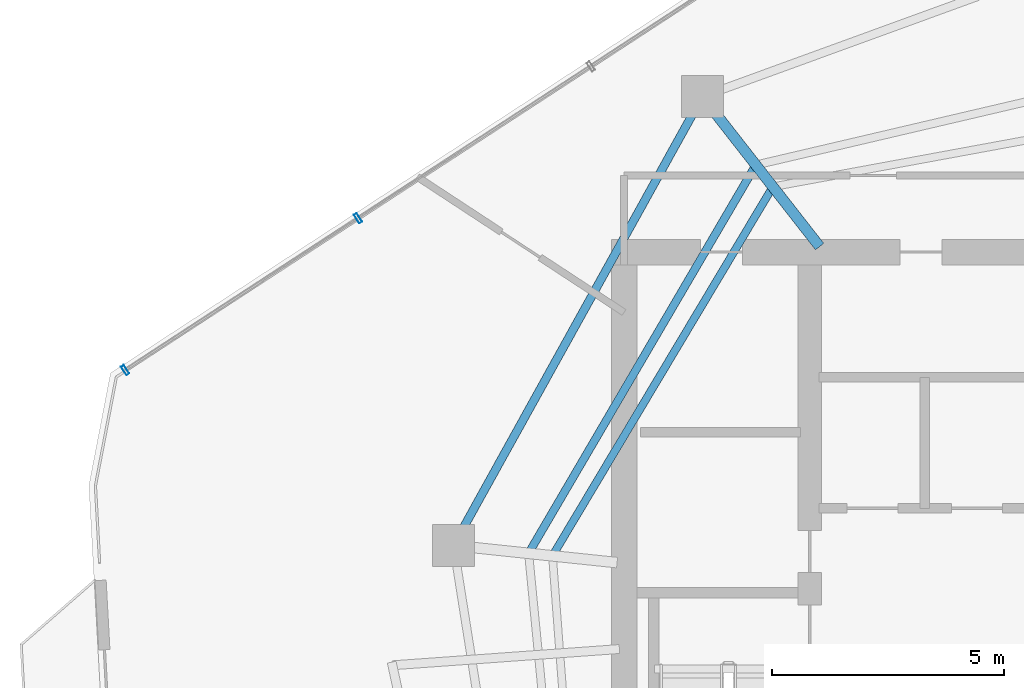
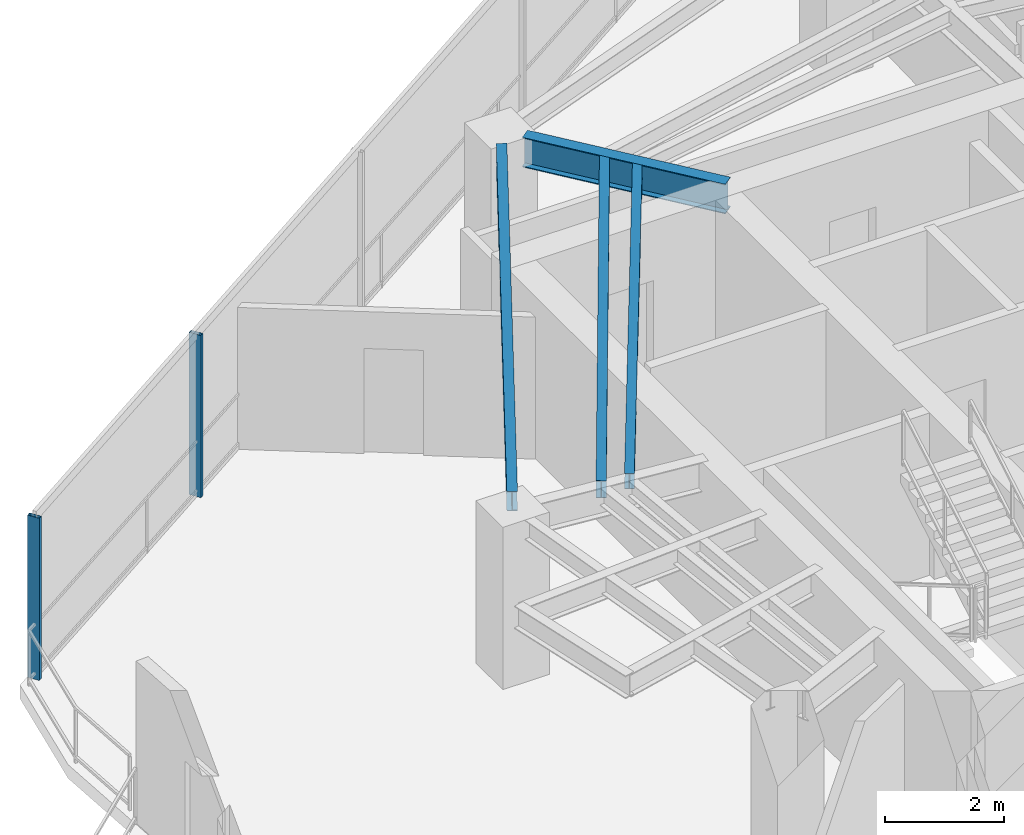
# One storey, part 5 of 18: 4 beams, 2 members, 1 element without a shape of its own.
"""IFC4 building model written with IfcOpenShell, lengths in metres."""

from ifc_helpers import new_model, si_unit, direction, frame, origin, origin_2d, place, context, subcontext, project, spatial, hollow_rectangle, i_section, extrude, material, layer, layer_set, material_profile, profile_set, type_object, element, aggregate, save


model = new_model("IFC4")

# Units and contexts
model_context = context("Model", 3, precision=1e-05, world=origin(), true_north=direction((0.0, 1.0)))
body_context = subcontext(model_context, "Body", "Model", "MODEL_VIEW")
ifc_project = project(units=[si_unit("LENGTHUNIT", "METRE"), si_unit("AREAUNIT", "SQUARE_METRE"), si_unit("VOLUMEUNIT", "CUBIC_METRE"), si_unit("PLANEANGLEUNIT", "RADIAN"), si_unit("MASSUNIT", "GRAM", prefix="KILO")], contexts=[model_context])

# Site, building, storey
site_placement = place(None, origin())
site = spatial("IfcSite", under=ifc_project, at=site_placement, CompositionType="ELEMENT")
building_placement = place(site_placement, origin())
building = spatial("IfcBuilding", under=site, at=building_placement, Name="Qarnah Convention Tower", CompositionType="ELEMENT")
storey_placement = place(building_placement, frame((0.0, 0.0, 191.39990234375)))
storey = spatial("IfcBuildingStorey", under=building, at=storey_placement, Name="L51", CompositionType="ELEMENT", Elevation=191.39990234375)

# Beams
ifc_material_1 = material(Name="Structural steel S355JR", Category="steel")
ifc_material_profile_1 = material_profile(ifc_material_1, i_section(OverallWidth=0.166015625, OverallDepth=0.31201171875, WebThickness=0.007080078125, FlangeThickness=0.010986328125, at=origin_2d()), Name="W310X45")
ifc_profile_set_1 = profile_set([ifc_material_profile_1], Name="Structural steel S355JR")
beam_type_1 = type_object("IfcBeamType", Name="BM-JST-W310", PredefinedType="JOIST", material=ifc_profile_set_1)
beam_1_placement = place(storey_placement, frame((29.9599609375, 35.530029296875, 3.1640625), z_axis=(-0.512644523627, -0.858600950614, 0.0), x_axis=(0.858600950614, -0.512644523627, 0.0)))
element("IfcBeam", 1, at=beam_1_placement, inside=storey, type_object=beam_type_1, Name="L51 joist BM-L51-IJST-04", PredefinedType="JOIST", context=body_context, shape_type="SweptSolid", body=[
    extrude(i_section(OverallWidth=0.166015625, OverallDepth=0.31201171875, WebThickness=0.007080078125, FlangeThickness=0.010986328125, at=origin_2d()), origin(), (0.0, 0.0, 1.0), 9.082275390625),
])
ifc_material_profile_2 = material_profile(ifc_material_1, i_section(OverallWidth=0.172119140625, OverallDepth=0.35595703125, WebThickness=0.007080078125, FlangeThickness=0.011962890625, at=origin_2d()), Name="W360X51")
ifc_profile_set_2 = profile_set([ifc_material_profile_2], Name="Structural steel S355JR")
beam_type_2 = type_object("IfcBeamType", Name="BM-JST-W360", PredefinedType="JOIST", material=ifc_profile_set_2)
beam_2_placement = place(storey_placement, frame((29.594970703125, 35.998046875, 3.14208984375), z_axis=(-0.505140510309, -0.863037116725, 0.0), x_axis=(0.863037116725, -0.505140510309, 0.0)))
element("IfcBeam", 2, at=beam_2_placement, inside=storey, type_object=beam_type_2, Name="L51 joist BM-L51-SJST-04", PredefinedType="JOIST", context=body_context, shape_type="SweptSolid", body=[
    extrude(i_section(OverallWidth=0.172119140625, OverallDepth=0.35595703125, WebThickness=0.007080078125, FlangeThickness=0.011962890625, at=origin_2d()), origin(), (0.0, 0.0, 1.0), 9.513916015625),
])
ifc_material_profile_3 = material_profile(ifc_material_1, i_section(OverallWidth=0.22802734375, OverallDepth=0.60791015625, WebThickness=0.010986328125, FlangeThickness=0.01708984375, at=origin_2d()), Name="W610X113")
ifc_profile_set_3 = profile_set([ifc_material_profile_3], Name="Structural steel S355JR")
beam_type_3 = type_object("IfcBeamType", Name="BM-RAD-W610B", PredefinedType="BEAM", material=ifc_profile_set_3)
beam_3_placement = place(storey_placement, frame((31.013916015625, 34.318115234375, 3.01611328125), z_axis=(-0.615807906571, 0.787896327066, 0.0), x_axis=(-0.787896327066, -0.615807906571, 0.0)))
element("IfcBeam", 3, at=beam_3_placement, inside=storey, type_object=beam_type_3, Name="L51 beam BM-L51-RAD-04", PredefinedType="BEAM", context=body_context, shape_type="SweptSolid", body=[
    extrude(i_section(OverallWidth=0.22802734375, OverallDepth=0.60791015625, WebThickness=0.010986328125, FlangeThickness=0.01708984375, at=origin_2d()), origin(), (0.0, 0.0, 1.0), 3.671630859375),
])
ifc_material_profile_4 = material_profile(ifc_material_1, i_section(OverallWidth=0.179931640625, OverallDepth=0.39990234375, WebThickness=0.009033203125, FlangeThickness=0.013916015625, at=origin_2d()), Name="IPE400")
ifc_profile_set_4 = profile_set([ifc_material_profile_4], Name="Structural steel S355JR")
beam_type_4 = type_object("IfcBeamType", Name="BM-SPN-IPE400", PredefinedType="SPANDREL", material=ifc_profile_set_4)
beam_4_placement = place(storey_placement, frame((28.27490234375, 37.1650390625, 3.1201171875), z_axis=(-0.48479945923, -0.874625339406, 0.0), x_axis=(0.874625339406, -0.48479945923, 0.0)))
element("IfcBeam", 4, at=beam_4_placement, inside=storey, type_object=beam_type_4, Name="L51 spandrel BM-L51-SPN-04", PredefinedType="SPANDREL", context=body_context, shape_type="SweptSolid", body=[
    extrude(i_section(OverallWidth=0.179931640625, OverallDepth=0.39990234375, WebThickness=0.009033203125, FlangeThickness=0.013916015625, at=origin_2d()), origin(), (0.0, 0.0, 1.0), 10.177001953125),
])

# Curtain wall, members
ifc_material_2 = material(Name="Tempered Low-E dark glass", Category="glass")
ifc_layer = layer(ifc_material_2, 0.174072265625)
ifc_layer_set = layer_set([ifc_layer], Name="Tempered Low-E dark glass")
curtain_wall_type = type_object("IfcCurtainWallType", Name="CWS-04", PredefinedType="NOTDEFINED", material=ifc_layer_set)
curtain_wall_placement = place(storey_placement, origin())
curtain_wall = element("IfcCurtainWall", 5, at=curtain_wall_placement, inside=storey, type_object=curtain_wall_type, Name="L51 unitised curtain wall CW-L51-F1", PredefinedType="NOTDEFINED")
ifc_material_3 = material(Name="Black anodised aluminium", Category="aluminium")
ifc_material_profile_5 = material_profile(ifc_material_3, hollow_rectangle(XDim=0.074951171875, YDim=0.219970703125, WallThickness=0.0048828125, at=origin_2d()), Name="MUL-75X220")
ifc_profile_set_5 = profile_set([ifc_material_profile_5], Name="Black anodised aluminium")
member_type = type_object("IfcMemberType", Name="MUL-T4", PredefinedType="MULLION", material=ifc_profile_set_5)
member_1_placement = place(storey_placement, frame((16.052978515625, 31.656005859375, 0.0), z_axis=(0.0, 0.0, 1.0), x_axis=(0.837511598943, 0.546419547267, 0.0)))
member_1 = element("IfcMember", 6, at=member_1_placement, type_object=member_type, Name="CW-L51-F1 mullion 1", PredefinedType="MULLION", context=body_context, shape_type="SweptSolid", body=[
    extrude(hollow_rectangle(XDim=0.074951171875, YDim=0.219970703125, WallThickness=0.0048828125, at=origin_2d()), origin(), (0.0, 0.0, 1.0), 3.320068359375),
])
member_2_placement = place(storey_placement, frame((21.069091796875, 34.9287109375, 0.0), z_axis=(0.0, 0.0, 1.0), x_axis=(0.837511598943, 0.546419547267, 0.0)))
member_2 = element("IfcMember", 7, at=member_2_placement, type_object=member_type, Name="CW-L51-F1 mullion 2", PredefinedType="MULLION", context=body_context, shape_type="SweptSolid", body=[
    extrude(hollow_rectangle(XDim=0.074951171875, YDim=0.219970703125, WallThickness=0.0048828125, at=origin_2d()), origin(), (0.0, 0.0, 1.0), 3.320068359375),
])
aggregate(curtain_wall, [member_1, member_2])

save(model, "model.ifc")
